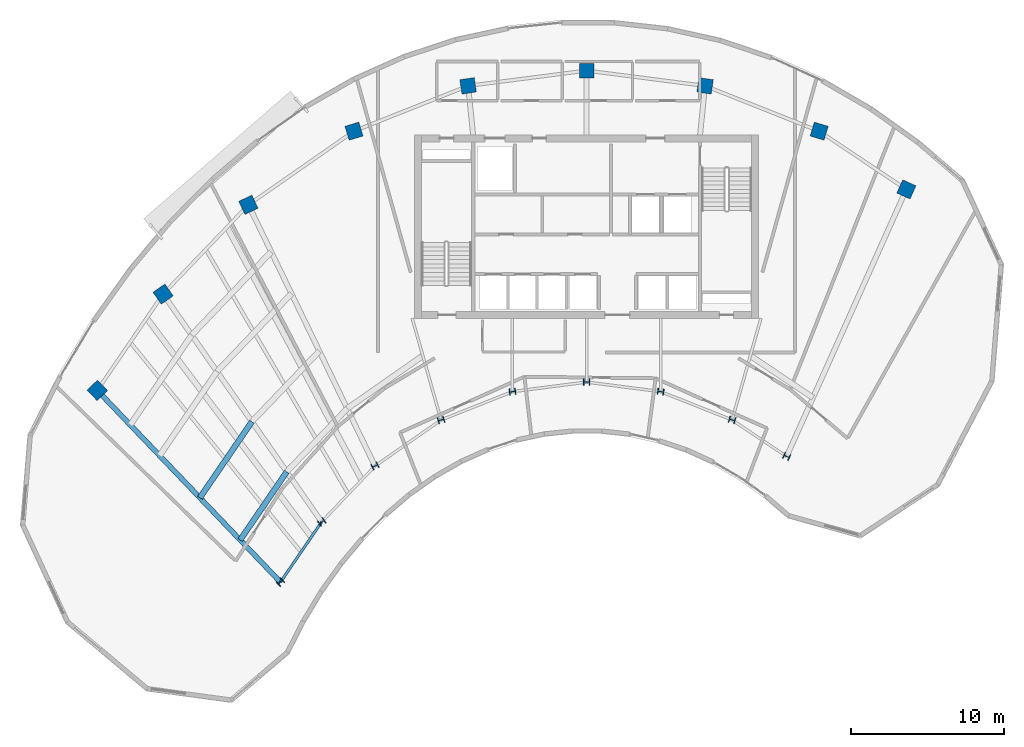
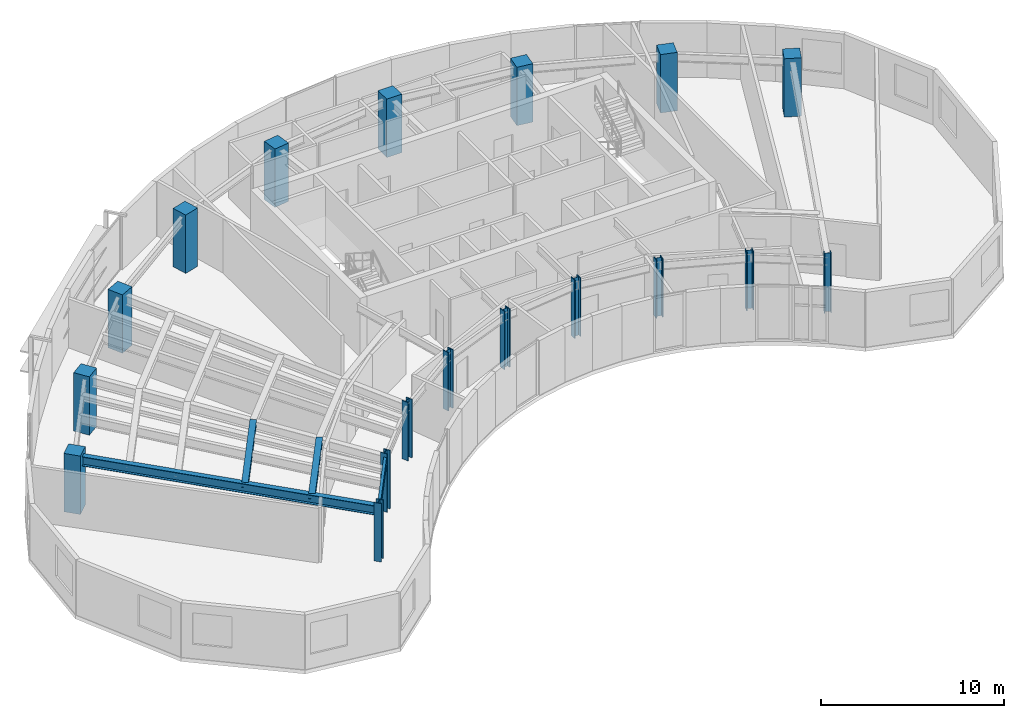
# One storey, part 1 of 12: 18 columns, 4 beams.
"""IFC4 building model written with IfcOpenShell, lengths in metres."""

from ifc_helpers import new_model, si_unit, direction, frame, origin, origin_2d, place, context, subcontext, project, spatial, rectangle, i_section, extrude, source, transform, mapped, material, material_profile, profile_set, type_object, type_shapes, element, save


model = new_model("IFC4")

# Units and contexts
model_context = context("Model", 3, precision=1e-05, world=origin(), true_north=direction((0.0, 1.0)))
body_context = subcontext(model_context, "Body", "Model", "MODEL_VIEW")
ifc_project = project(units=[si_unit("LENGTHUNIT", "METRE"), si_unit("AREAUNIT", "SQUARE_METRE"), si_unit("VOLUMEUNIT", "CUBIC_METRE"), si_unit("PLANEANGLEUNIT", "RADIAN"), si_unit("MASSUNIT", "GRAM", prefix="KILO")], contexts=[model_context])

# Site, building, storey
site_placement = place(None, origin())
site = spatial("IfcSite", under=ifc_project, at=site_placement, CompositionType="ELEMENT")
building_placement = place(site_placement, origin())
building = spatial("IfcBuilding", under=site, at=building_placement, Name="Breltana Convention Tower", CompositionType="ELEMENT")
storey_placement = place(building_placement, frame((0.0, 0.0, 246.89990234375)))
storey = spatial("IfcBuildingStorey", under=building, at=storey_placement, Name="L60", CompositionType="ELEMENT", Elevation=246.89990234375)

# Columns
ifc_material_1 = material(Name="Steel ASTM A992 Grade 50", Category="steel")
ifc_material_profile_1 = material_profile(ifc_material_1, i_section(OverallWidth=0.406005859375, OverallDepth=0.416015625, WebThickness=0.02978515625, FlangeThickness=0.048095703125, at=origin_2d()), Name="W14X257")
ifc_profile_set_1 = profile_set([ifc_material_profile_1], Name="Steel ASTM A992 Grade 50")
column_type_1 = type_object("IfcColumnType", Name="COL-STL-W14X257", PredefinedType="COLUMN", material=ifc_profile_set_1)
shared_shape_1 = source(origin(), body_context, "Body", "SweptSolid", [
    extrude(i_section(OverallWidth=0.406005859375, OverallDepth=0.416015625, WebThickness=0.02978515625, FlangeThickness=0.048095703125, at=origin_2d()), origin(), (0.0, 0.0, 1.0), 3.900146484375),
])
for number, where, z_axis, x_axis, name in (
    (1, (27.984619140625, 42.95458984375, 0.0), (0.0, 0.0, 1.0), (-0.690756218984, 0.723087716626, 0.0), "L60 Tower Column R01-IN"),
    (2, (30.67724609375, 46.892333984375, 0.0), (0.0, 0.0, 1.0), (-0.571143442153, 0.820850271661, 0.0), "L60 Tower Column R02-IN"),
    (3, (34.166259765625, 50.544921875, 0.0), (0.0, 0.0, 1.0), (-0.436173672171, 0.899862504889, 0.0), "L60 Tower Column R03-IN"),
    (4, (38.485107421875, 53.5576171875, 0.0), (0.0, 0.0, 1.0), (-0.288697611798, 0.957420330337, 0.0), "L60 Tower Column R04-IN"),
    (5, (43.153564453125, 55.41064453125, 0.0), (0.0, 0.0, 1.0), (-0.143492621991, 0.98965138682, 0.0), "L60 Tower Column R05-IN"),
    (6, (48.0, 56.035888671875, 0.0), (0.0, 0.0, 1.0), (0.0, 1.0, 0.0), "L60 Tower Column R06-IN"),
    (7, (52.846435546875, 55.41064453125, 0.0), (0.0, 0.0, 1.0), (0.143492621991, 0.98965138682, 0.0), "L60 Tower Column R07-IN"),
    (8, (57.514892578125, 53.5576171875, 0.0), (0.0, 0.0, 1.0), (0.288697611798, 0.957420330337, 0.0), "L60 Tower Column R08-IN"),
    (9, (61.08203125, 51.174560546875, 0.0), (0.0, 0.0, 1.0), (0.409126902895, 0.912477494148, 0.0), "L60 Tower Column R09-IN"),
):
    element("IfcColumn", number, at=place(storey_placement, frame(where, z_axis=z_axis, x_axis=x_axis)), inside=storey, type_object=column_type_1, Name=name, PredefinedType="COLUMN", context=body_context, shape_type="MappedRepresentation", body=[
        mapped(shared_shape_1, transform((0.0, 0.0, 0.0), scale=1.0)),
    ])
ifc_material_2 = material(Name="Concrete C50/60", Category="concrete")
ifc_material_profile_2 = material_profile(ifc_material_2, rectangle(XDim=0.949951171875, YDim=0.949951171875, at=origin_2d()), Name="RC-COL-950X950")
ifc_profile_set_2 = profile_set([ifc_material_profile_2], Name="Concrete C50/60")
column_type_2 = type_object("IfcColumnType", Name="COL-RC-950", PredefinedType="COLUMN", material=ifc_profile_set_2)
shared_shape_2 = source(origin(), body_context, "Body", "SweptSolid", [
    extrude(rectangle(XDim=0.949951171875, YDim=0.949951171875, at=origin_2d()), origin(), (0.0, 0.0, 1.0), 3.900146484375),
])
for number, where, z_axis, x_axis, name in (
    (10, (16.0068359375, 55.494384765625, 0.0), (0.0, 0.0, 1.0), (-0.690756218984, 0.723087716626, 0.0), "L60 Tower Column R01-OUT"),
    (11, (20.310791015625, 61.78857421875, 0.0), (0.0, 0.0, 1.0), (-0.571143442153, 0.820850271661, 0.0), "L60 Tower Column R02-OUT"),
    (12, (25.8876953125, 67.626953125, 0.0), (0.0, 0.0, 1.0), (-0.436173672171, 0.899862504889, 0.0), "L60 Tower Column R03-OUT"),
    (13, (32.791015625, 72.4423828125, 0.0), (0.0, 0.0, 1.0), (-0.288697611798, 0.957420330337, 0.0), "L60 Tower Column R04-OUT"),
    (14, (40.253173828125, 75.404296875, 0.0), (0.0, 0.0, 1.0), (-0.143492621991, 0.98965138682, 0.0), "L60 Tower Column R05-OUT"),
    (15, (48.0, 76.404052734375, 0.0), (0.0, 0.0, 1.0), (0.0, 1.0, 0.0), "L60 Tower Column R06-OUT"),
    (16, (55.746826171875, 75.404296875, 0.0), (0.0, 0.0, 1.0), (0.143492621991, 0.98965138682, 0.0), "L60 Tower Column R07-OUT"),
    (17, (63.208984375, 72.4423828125, 0.0), (0.0, 0.0, 1.0), (0.288697611798, 0.957420330337, 0.0), "L60 Tower Column R08-OUT"),
    (18, (68.910400390625, 68.63330078125, 0.0), (0.0, 0.0, 1.0), (0.409126902895, 0.912477494148, 0.0), "L60 Tower Column R09-OUT"),
):
    element("IfcColumn", number, at=place(storey_placement, frame(where, z_axis=z_axis, x_axis=x_axis)), inside=storey, type_object=column_type_2, Name=name, PredefinedType="COLUMN", context=body_context, shape_type="MappedRepresentation", body=[
        mapped(shared_shape_2, transform((0.0, 0.0, 0.0), scale=1.0)),
    ])

# Beams
ifc_material_profile_3 = material_profile(ifc_material_1, i_section(OverallWidth=0.166015625, OverallDepth=0.534912109375, WebThickness=0.01025390625, FlangeThickness=0.0166015625, at=origin_2d()), Name="W21X57")
ifc_profile_set_3 = profile_set([ifc_material_profile_3], Name="Steel ASTM A992 Grade 50")
beam_type_1 = type_object("IfcBeamType", Name="BM-BM-W21X57", PredefinedType="BEAM", material=ifc_profile_set_3)
shared_shape_3 = source(origin(), body_context, "Body", "SweptSolid", [
    extrude(i_section(OverallWidth=0.166015625, OverallDepth=0.534912109375, WebThickness=0.01025390625, FlangeThickness=0.0166015625, at=origin_2d()), origin(), (0.0, 0.0, 1.0), 4.770263671875),
])
beam_1_placement = place(storey_placement, frame((27.984619140625, 42.95458984375, 3.382568359375), z_axis=(0.564452719055, 0.82546540082, 0.0), x_axis=(-0.82546540082, 0.564452719055, 0.0)))
element("IfcBeam", 19, at=beam_1_placement, inside=storey, type_object=beam_type_1, Name="L60 Inner Ring Beam 01", PredefinedType="BEAM", context=body_context, shape_type="MappedRepresentation", body=[
    mapped(shared_shape_3, transform((0.0, 0.0, 0.0), scale=1.0)),
])
ifc_material_profile_4 = material_profile(ifc_material_1, i_section(OverallWidth=0.368896484375, OverallDepth=0.35595703125, WebThickness=0.01123046875, FlangeThickness=0.01806640625, at=origin_2d()), Name="W14X90")
ifc_profile_set_4 = profile_set([ifc_material_profile_4], Name="Steel ASTM A992 Grade 50")
beam_type_2 = type_object("IfcBeamType", Name="BM-JSG-09", PredefinedType="JOIST", material=ifc_profile_set_4)
shared_shape_4 = source(origin(), body_context, "Body", "SweptSolid", [
    extrude(i_section(OverallWidth=0.368896484375, OverallDepth=0.35595703125, WebThickness=0.01123046875, FlangeThickness=0.01806640625, at=origin_2d()), origin(), (0.0, 0.0, 1.0), 5.3984375),
])
beam_2_placement = place(storey_placement, frame((25.349365234375, 45.71337890625, 3.47216796875), z_axis=(0.564440705434, 0.825473615599, 0.0), x_axis=(-0.825473615599, 0.564440705434, 0.0)))
element("IfcBeam", 20, at=beam_2_placement, inside=storey, type_object=beam_type_2, Name="L60 Composite Floor Joist 01.1", PredefinedType="JOIST", context=body_context, shape_type="MappedRepresentation", body=[
    mapped(shared_shape_4, transform((0.0, 0.0, 0.0), scale=1.0)),
])
shared_shape_5 = source(origin(), body_context, "Body", "SweptSolid", [
    extrude(i_section(OverallWidth=0.368896484375, OverallDepth=0.35595703125, WebThickness=0.01123046875, FlangeThickness=0.01806640625, at=origin_2d()), origin(), (0.0, 0.0, 1.0), 6.0263671875),
])
beam_3_placement = place(storey_placement, frame((22.71435546875, 48.47216796875, 3.47216796875), z_axis=(0.564450071397, 0.825467211281, 0.0), x_axis=(-0.825467211281, 0.564450071397, 0.0)))
element("IfcBeam", 21, at=beam_3_placement, inside=storey, type_object=beam_type_2, Name="L60 Composite Floor Joist 01.2", PredefinedType="JOIST", context=body_context, shape_type="MappedRepresentation", body=[
    mapped(shared_shape_5, transform((0.0, 0.0, 0.0), scale=1.0)),
])
ifc_material_profile_5 = material_profile(ifc_material_1, i_section(OverallWidth=0.326904296875, OverallDepth=0.6220703125, WebThickness=0.015380859375, FlangeThickness=0.0244140625, at=origin_2d()), Name="W24X131")
ifc_profile_set_5 = profile_set([ifc_material_profile_5], Name="Steel ASTM A992 Grade 50")
beam_type_3 = type_object("IfcBeamType", Name="BM-RG-W24X131", PredefinedType="USERDEFINED", material=ifc_profile_set_5)
shared_shape_6 = source(origin(), body_context, "Body", "SweptSolid", [
    extrude(i_section(OverallWidth=0.326904296875, OverallDepth=0.6220703125, WebThickness=0.015380859375, FlangeThickness=0.0244140625, at=origin_2d()), origin(), (0.0, 0.0, 1.0), 17.341064453125),
])
type_shapes(beam_type_3, [shared_shape_6])
beam_4_placement = place(storey_placement, frame((27.984619140625, 42.95458984375, 3.339111328125), z_axis=(-0.690716462293, 0.723125693581, 0.0), x_axis=(-0.723125693581, -0.690716462293, 0.0)))
element("IfcBeam", 22, at=beam_4_placement, inside=storey, type_object=beam_type_3, Name="L60 Radial Floor Girder R01", ObjectType="GIRDER", PredefinedType="USERDEFINED", context=body_context, shape_type="MappedRepresentation", body=[
    mapped(shared_shape_6, transform((0.0, 0.0, 0.0), scale=1.0)),
])

save(model, "model.ifc")
